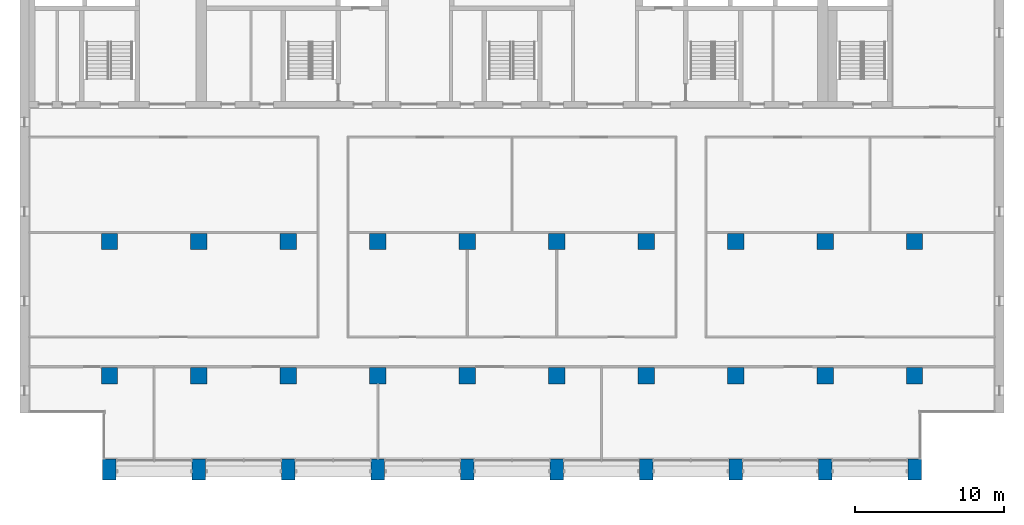
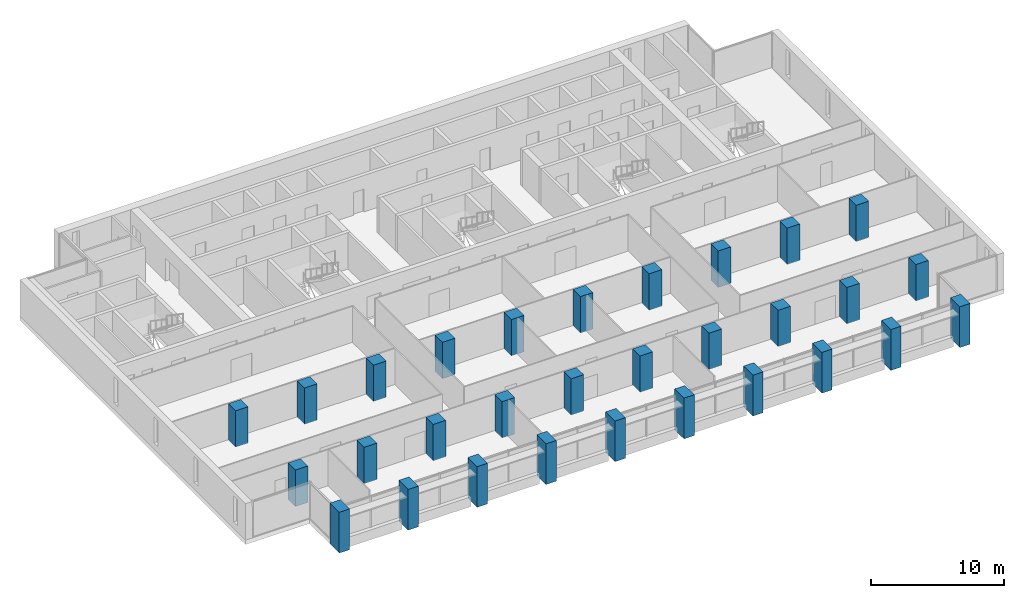
# One storey, part 1 of 17: 30 columns.
"""IFC4 building model written with IfcOpenShell, lengths in metres."""

from ifc_helpers import new_model, si_unit, direction, frame, origin, origin_2d, place, context, subcontext, project, spatial, rectangle, extrude, material, material_profile, profile_set, type_object, element, save


model = new_model("IFC4")

# Units and contexts
model_context = context("Model", 3, precision=1e-05, world=origin(), true_north=direction((0.0, 1.0)))
body_context = subcontext(model_context, "Body", "Model", "MODEL_VIEW")
ifc_project = project(units=[si_unit("LENGTHUNIT", "METRE"), si_unit("AREAUNIT", "SQUARE_METRE"), si_unit("VOLUMEUNIT", "CUBIC_METRE"), si_unit("PLANEANGLEUNIT", "RADIAN"), si_unit("MASSUNIT", "GRAM", prefix="KILO")], contexts=[model_context])

# Site, building, storey
site_placement = place(None, origin())
site = spatial("IfcSite", under=ifc_project, at=site_placement, CompositionType="ELEMENT")
building_placement = place(site_placement, origin())
building = spatial("IfcBuilding", under=site, at=building_placement, Name="Calvaro Tower", CompositionType="ELEMENT")
storey_placement = place(building_placement, frame((0.0, 0.0, 189.25)))
storey = spatial("IfcBuildingStorey", under=building, at=storey_placement, Name="L47", CompositionType="ELEMENT", Elevation=189.25)

# Columns
ifc_material_1 = material(Name="Concrete C50/60", Category="concrete")
ifc_material_profile_1 = material_profile(ifc_material_1, rectangle(XDim=1.10009765625, YDim=1.10009765625, at=origin_2d()), Name="RC 1100x1100")
ifc_profile_set_1 = profile_set([ifc_material_profile_1], Name="Concrete C50/60")
column_type_1 = type_object("IfcColumnType", Name="Column 1100x1100 C50/60", PredefinedType="COLUMN", material=ifc_profile_set_1)
for number, where, z_axis, x_axis, name in (
    (1, (12.0, 10.0, 0.0), (0.0, 0.0, 1.0), (1.0, 0.0, 0.0), "Column 3B"),
    (2, (12.0, 19.0, 0.0), (0.0, 0.0, 1.0), (1.0, 0.0, 0.0), "Column 3C"),
    (3, (18.0, 10.0, 0.0), (0.0, 0.0, 1.0), (1.0, 0.0, 0.0), "Column 4B"),
    (4, (18.0, 19.0, 0.0), (0.0, 0.0, 1.0), (1.0, 0.0, 0.0), "Column 4C"),
    (5, (24.0, 10.0, 0.0), (0.0, 0.0, 1.0), (1.0, 0.0, 0.0), "Column 5B"),
    (6, (24.0, 19.0, 0.0), (0.0, 0.0, 1.0), (1.0, 0.0, 0.0), "Column 5C"),
    (7, (30.0, 10.0, 0.0), (0.0, 0.0, 1.0), (1.0, 0.0, 0.0), "Column 6B"),
    (8, (30.0, 19.0, 0.0), (0.0, 0.0, 1.0), (1.0, 0.0, 0.0), "Column 6C"),
    (9, (36.0, 10.0, 0.0), (0.0, 0.0, 1.0), (1.0, 0.0, 0.0), "Column 7B"),
    (10, (36.0, 19.0, 0.0), (0.0, 0.0, 1.0), (1.0, 0.0, 0.0), "Column 7C"),
    (11, (42.0, 10.0, 0.0), (0.0, 0.0, 1.0), (1.0, 0.0, 0.0), "Column 8B"),
    (12, (42.0, 19.0, 0.0), (0.0, 0.0, 1.0), (1.0, 0.0, 0.0), "Column 8C"),
    (13, (48.0, 10.0, 0.0), (0.0, 0.0, 1.0), (1.0, 0.0, 0.0), "Column 9B"),
    (14, (48.0, 19.0, 0.0), (0.0, 0.0, 1.0), (1.0, 0.0, 0.0), "Column 9C"),
    (15, (54.0, 10.0, 0.0), (0.0, 0.0, 1.0), (1.0, 0.0, 0.0), "Column 10B"),
    (16, (54.0, 19.0, 0.0), (0.0, 0.0, 1.0), (1.0, 0.0, 0.0), "Column 10C"),
    (17, (60.0, 10.0, 0.0), (0.0, 0.0, 1.0), (1.0, 0.0, 0.0), "Column 11B"),
    (18, (60.0, 19.0, 0.0), (0.0, 0.0, 1.0), (1.0, 0.0, 0.0), "Column 11C"),
    (19, (66.0, 10.0, 0.0), (0.0, 0.0, 1.0), (1.0, 0.0, 0.0), "Column 12B"),
    (20, (66.0, 19.0, 0.0), (0.0, 0.0, 1.0), (1.0, 0.0, 0.0), "Column 12C"),
):
    element("IfcColumn", number, at=place(storey_placement, frame(where, z_axis=z_axis, x_axis=x_axis)), inside=storey, type_object=column_type_1, Name=name, PredefinedType="COLUMN", context=body_context, shape_type="SweptSolid", body=[
        extrude(rectangle(XDim=1.10009765625, YDim=1.10009765625, at=origin_2d()), origin(), (0.0, 0.0, 1.0), 3.35009765625),
    ])
ifc_material_2 = material(Name="Concrete C50/60", Category="concrete")
ifc_material_profile_2 = material_profile(ifc_material_2, rectangle(XDim=0.89990234375, YDim=1.39990234375, at=origin_2d()), Name="RC 900x1400")
ifc_profile_set_2 = profile_set([ifc_material_profile_2], Name="Concrete C50/60")
column_type_2 = type_object("IfcColumnType", Name="Pier 900x1400 C50/60", PredefinedType="COLUMN", material=ifc_profile_set_2)
for number, where, z_axis, x_axis, name in (
    (21, (12.0, 3.699951171875, -0.39990234375), (0.0, 0.0, 1.0), (1.0, 0.0, 0.0), "South pier 3"),
    (22, (18.0, 3.699951171875, -0.39990234375), (0.0, 0.0, 1.0), (1.0, 0.0, 0.0), "South pier 4"),
    (23, (24.0, 3.699951171875, -0.39990234375), (0.0, 0.0, 1.0), (1.0, 0.0, 0.0), "South pier 5"),
    (24, (30.0, 3.699951171875, -0.39990234375), (0.0, 0.0, 1.0), (1.0, 0.0, 0.0), "South pier 6"),
    (25, (36.0, 3.699951171875, -0.39990234375), (0.0, 0.0, 1.0), (1.0, 0.0, 0.0), "South pier 7"),
    (26, (42.0, 3.699951171875, -0.39990234375), (0.0, 0.0, 1.0), (1.0, 0.0, 0.0), "South pier 8"),
    (27, (48.0, 3.699951171875, -0.39990234375), (0.0, 0.0, 1.0), (1.0, 0.0, 0.0), "South pier 9"),
    (28, (54.0, 3.699951171875, -0.39990234375), (0.0, 0.0, 1.0), (1.0, 0.0, 0.0), "South pier 10"),
    (29, (60.0, 3.699951171875, -0.39990234375), (0.0, 0.0, 1.0), (1.0, 0.0, 0.0), "South pier 11"),
    (30, (66.0, 3.699951171875, -0.39990234375), (0.0, 0.0, 1.0), (1.0, 0.0, 0.0), "South pier 12"),
):
    element("IfcColumn", number, at=place(storey_placement, frame(where, z_axis=z_axis, x_axis=x_axis)), inside=storey, type_object=column_type_2, Name=name, PredefinedType="COLUMN", context=body_context, shape_type="SweptSolid", body=[
        extrude(rectangle(XDim=0.89990234375, YDim=1.39990234375, at=origin_2d()), origin(), (0.0, 0.0, 1.0), 3.75),
    ])

save(model, "model.ifc")
